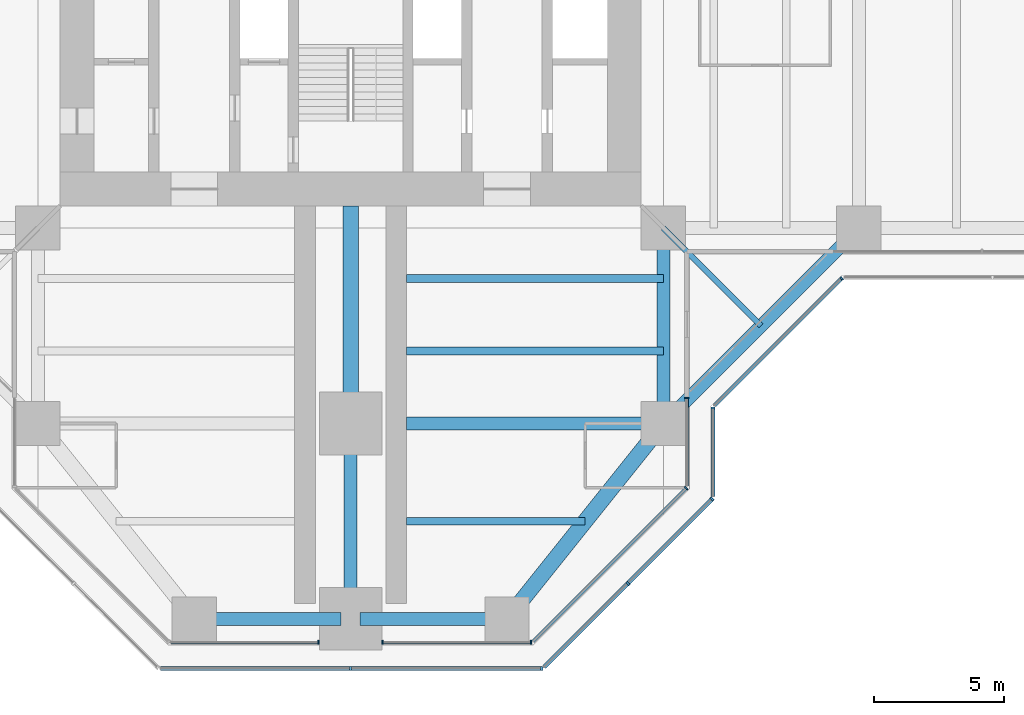
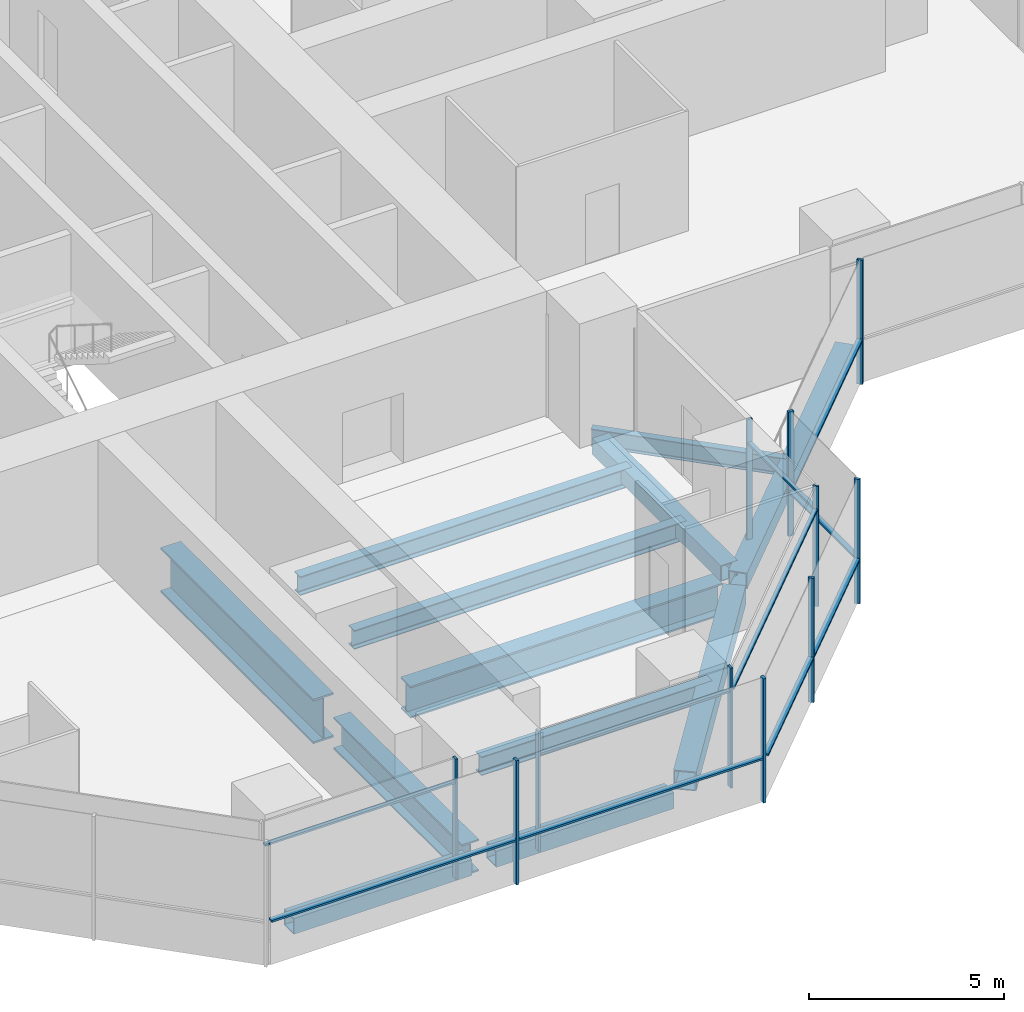
# One storey, part 4 of 19: 21 members, 12 beams, 8 elements without a shape of their own.
"""IFC4 building model written with IfcOpenShell, lengths in metres."""

from ifc_helpers import new_model, si_unit, direction, frame, origin, origin_2d, place, context, subcontext, project, spatial, rectangle, hollow_rectangle, i_section, extrude, material, material_profile, profile_set, type_object, element, aggregate, save


model = new_model("IFC4")

# Units and contexts
model_context = context("Model", 3, precision=1e-05, world=origin(), true_north=direction((0.0, 1.0)))
body_context = subcontext(model_context, "Body", "Model", "MODEL_VIEW")
ifc_project = project(units=[si_unit("LENGTHUNIT", "METRE"), si_unit("AREAUNIT", "SQUARE_METRE"), si_unit("VOLUMEUNIT", "CUBIC_METRE"), si_unit("PLANEANGLEUNIT", "RADIAN"), si_unit("MASSUNIT", "GRAM", prefix="KILO")], contexts=[model_context])

# Site, building, storey
site_placement = place(None, origin())
site = spatial("IfcSite", under=ifc_project, at=site_placement, CompositionType="ELEMENT")
building_placement = place(site_placement, origin())
building = spatial("IfcBuilding", under=site, at=building_placement, Name="Mizan Broadcast Tower", CompositionType="ELEMENT")
storey_placement = place(building_placement, frame((0.0, 0.0, 167.10009765625)))
storey = spatial("IfcBuildingStorey", under=building, at=storey_placement, Name="L38", CompositionType="ELEMENT", Elevation=167.10009765625)

# Beams
ifc_material_1 = material(Name="Steel S355", Category="steel")
ifc_material_profile_1 = material_profile(ifc_material_1, hollow_rectangle(XDim=0.5, YDim=0.5, WallThickness=0.030029296875, at=origin_2d()), Name="BOX 500x500x30")
ifc_profile_set_1 = profile_set([ifc_material_profile_1], Name="Steel S355")
beam_type_1 = type_object("IfcBeamType", Name="EDGE BEAM BOX 500x500x30", PredefinedType="SPANDREL", material=ifc_profile_set_1)
beam_1_placement = place(storey_placement, frame((-5.639892578125, -27.0, -0.380126953125), z_axis=(1.0, 0.0, 0.0), x_axis=(0.0, 1.0, 0.0)))
element("IfcBeam", 1, at=beam_1_placement, inside=storey, type_object=beam_type_1, Name="Edge beam BOX 500x500x30 L38 south arm", PredefinedType="SPANDREL", context=body_context, shape_type="SweptSolid", body=[
    extrude(hollow_rectangle(XDim=0.5, YDim=0.5, WallThickness=0.030029296875, at=origin_2d()), origin(), (0.0, 0.0, 1.0), 5.27978515625),
])
beam_2_placement = place(storey_placement, frame((12.0, -12.449951171875, -0.380126953125), z_axis=(0.0, -1.0, 0.0), x_axis=(1.0, 0.0, 0.0)))
element("IfcBeam", 2, at=beam_2_placement, inside=storey, type_object=beam_type_1, Name="Edge beam BOX 500x500x30 L38 south arm", PredefinedType="SPANDREL", context=body_context, shape_type="SweptSolid", body=[
    extrude(hollow_rectangle(XDim=0.5, YDim=0.5, WallThickness=0.030029296875, at=origin_2d()), origin(), (0.0, 0.0, 1.0), 6.60009765625),
])
beam_3_placement = place(storey_placement, frame((5.639892578125, -27.0, -0.380126953125), z_axis=(-1.0, 0.0, 0.0), x_axis=(0.0, -1.0, 0.0)))
element("IfcBeam", 3, at=beam_3_placement, inside=storey, type_object=beam_type_1, Name="Edge beam BOX 500x500x30 L38 south arm", PredefinedType="SPANDREL", context=body_context, shape_type="SweptSolid", body=[
    extrude(hollow_rectangle(XDim=0.5, YDim=0.5, WallThickness=0.030029296875, at=origin_2d()), origin(), (0.0, 0.0, 1.0), 5.27978515625),
])
beam_4_placement = place(storey_placement, frame((12.0, -19.5, -0.380126953125), z_axis=(0.707106781187, 0.707106781187, 0.0), x_axis=(-0.707106781187, 0.707106781187, 0.0)))
element("IfcBeam", 4, at=beam_4_placement, inside=storey, type_object=beam_type_1, Name="Winter garden edge beam L38 S", PredefinedType="SPANDREL", context=body_context, shape_type="SweptSolid", body=[
    extrude(hollow_rectangle(XDim=0.5, YDim=0.5, WallThickness=0.030029296875, at=origin_2d()), origin(), (0.0, 0.0, 1.0), 10.606689453125),
])
ifc_material_2 = material(Name="Steel S355", Category="steel")
ifc_material_profile_2 = material_profile(ifc_material_2, hollow_rectangle(XDim=0.60009765625, YDim=0.60009765625, WallThickness=0.030029296875, at=origin_2d()), Name="BOX 600x600x30")
ifc_profile_set_2 = profile_set([ifc_material_profile_2], Name="Steel S355")
beam_type_2 = type_object("IfcBeamType", Name="EDGE BEAM BOX 600x600x30", PredefinedType="SPANDREL", material=ifc_profile_set_2)
beam_5_placement = place(storey_placement, frame((11.639892578125, -19.949951171875, -0.43017578125), z_axis=(-0.624673911726, -0.780885717636, 0.0), x_axis=(0.780885717636, -0.624673911726, 0.0)))
element("IfcBeam", 5, at=beam_5_placement, inside=storey, type_object=beam_type_2, Name="Edge beam BOX 600x600x30 L38 south arm", PredefinedType="SPANDREL", context=body_context, shape_type="SweptSolid", body=[
    extrude(hollow_rectangle(XDim=0.60009765625, YDim=0.60009765625, WallThickness=0.030029296875, at=origin_2d()), origin(), (0.0, 0.0, 1.0), 8.4521484375),
])
ifc_material_3 = material(Name="Steel S460", Category="steel")
ifc_material_profile_3 = material_profile(ifc_material_3, i_section(OverallWidth=0.5, OverallDepth=1.0, WebThickness=0.02490234375, FlangeThickness=0.050048828125, at=origin_2d()), Name="WPG 1000x500")
ifc_profile_set_3 = profile_set([ifc_material_profile_3], Name="Steel S460")
beam_type_3 = type_object("IfcBeamType", Name="GIRDER WPG 1000x500", PredefinedType="BEAM", material=ifc_profile_set_3)
beam_6_placement = place(storey_placement, frame((0.0, -19.949951171875, -0.630126953125), z_axis=(0.0, -1.0, 0.0), x_axis=(1.0, 0.0, 0.0)))
element("IfcBeam", 6, at=beam_6_placement, inside=storey, type_object=beam_type_3, Name="Girder WPG 1000x500 L38 south arm", PredefinedType="BEAM", context=body_context, shape_type="SweptSolid", body=[
    extrude(i_section(OverallWidth=0.5, OverallDepth=1.0, WebThickness=0.02490234375, FlangeThickness=0.050048828125, at=origin_2d()), origin(), (0.0, 0.0, 1.0), 6.60009765625),
])
beam_7_placement = place(storey_placement, frame((11.408935546875, -19.5, -0.630126953125), z_axis=(-1.0, 0.0, 0.0), x_axis=(0.0, -1.0, 0.0)))
element("IfcBeam", 7, at=beam_7_placement, inside=storey, type_object=beam_type_3, Name="Girder WPG 1000x500 L38 south arm", PredefinedType="BEAM", context=body_context, shape_type="SweptSolid", body=[
    extrude(i_section(OverallWidth=0.5, OverallDepth=1.0, WebThickness=0.02490234375, FlangeThickness=0.050048828125, at=origin_2d()), origin(), (0.0, 0.0, 1.0), 9.259033203125),
])
ifc_material_4 = material(Name="Steel S460", Category="steel")
ifc_material_profile_4 = material_profile(ifc_material_4, i_section(OverallWidth=0.60009765625, OverallDepth=1.39990234375, WebThickness=0.02490234375, FlangeThickness=0.06005859375, at=origin_2d()), Name="WPG 1400x600")
ifc_profile_set_4 = profile_set([ifc_material_profile_4], Name="Steel S460")
beam_type_4 = type_object("IfcBeamType", Name="GIRDER WPG 1400x600", PredefinedType="BEAM", material=ifc_profile_set_4)
beam_8_placement = place(storey_placement, frame((0.0, -11.14990234375, -0.830078125), z_axis=(0.0, -1.0, 0.0), x_axis=(1.0, 0.0, 0.0)))
element("IfcBeam", 8, at=beam_8_placement, inside=storey, type_object=beam_type_4, Name="Girder WPG 1400x600 L38 south arm", PredefinedType="BEAM", context=body_context, shape_type="SweptSolid", body=[
    extrude(i_section(OverallWidth=0.60009765625, OverallDepth=1.39990234375, WebThickness=0.02490234375, FlangeThickness=0.06005859375, at=origin_2d()), origin(), (0.0, 0.0, 1.0), 7.84912109375),
])

# Curtain wall, member
ifc_material_5 = material(Name="Aluminium framed glazing", Category="aluminium")
curtain_wall_type_1 = type_object("IfcCurtainWallType", Name="INNER SKIN MID ZONE", PredefinedType="USERDEFINED", material=ifc_material_5)
curtain_wall_1_placement = place(storey_placement, origin())
curtain_wall_1 = element("IfcCurtainWall", 9, at=curtain_wall_1_placement, inside=storey, type_object=curtain_wall_type_1, Name="Inner skin mid zone L38 S end", ObjectType="INNER SKIN MID ZONE", PredefinedType="USERDEFINED")
ifc_material_6 = material(Name="Aluminium, pale anodised", Category="aluminium")
ifc_material_profile_5 = material_profile(ifc_material_6, rectangle(XDim=0.159912109375, YDim=0.06005859375, at=origin_2d()), Name="MULLION 160x60")
ifc_profile_set_5 = profile_set([ifc_material_profile_5], Name="Aluminium, pale anodised")
member_type_1 = type_object("IfcMemberType", Name="INNER SKIN MULLION 60x160", PredefinedType="MULLION", material=ifc_profile_set_5)
member_1_placement = place(storey_placement, frame((-1.22998046875, -27.89990234375, 0.0), z_axis=(0.0, 0.0, 1.0), x_axis=(0.0, 1.0, 0.0)))
member_1 = element("IfcMember", 10, at=member_1_placement, type_object=member_type_1, Name="Inner skin mid zone L38 S end mullion 2", PredefinedType="MULLION", context=body_context, shape_type="SweptSolid", body=[
    extrude(rectangle(XDim=0.159912109375, YDim=0.06005859375, at=origin_2d()), origin(), (0.0, 0.0, 1.0), 3.77001953125),
])

# Curtain wall, members
curtain_wall_2_placement = place(storey_placement, origin())
curtain_wall_2 = element("IfcCurtainWall", 11, at=curtain_wall_2_placement, inside=storey, type_object=curtain_wall_type_1, Name="Inner skin mid zone L38 S end", ObjectType="INNER SKIN MID ZONE", PredefinedType="USERDEFINED")
member_2_placement = place(storey_placement, frame((1.22998046875, -27.89990234375, 0.0), z_axis=(0.0, 0.0, 1.0), x_axis=(0.0, 1.0, 0.0)))
member_2 = element("IfcMember", 12, at=member_2_placement, type_object=member_type_1, Name="Inner skin mid zone L38 S end mullion 1", PredefinedType="MULLION", context=body_context, shape_type="SweptSolid", body=[
    extrude(rectangle(XDim=0.159912109375, YDim=0.06005859375, at=origin_2d()), origin(), (0.0, 0.0, 1.0), 3.77001953125),
])
member_3_placement = place(storey_placement, frame((6.928466796875, -27.89990234375, 0.0), z_axis=(0.0, 0.0, 1.0), x_axis=(0.0, 1.0, 0.0)))
member_3 = element("IfcMember", 13, at=member_3_placement, type_object=member_type_1, Name="Inner skin mid zone L38 S end mullion 2", PredefinedType="MULLION", context=body_context, shape_type="SweptSolid", body=[
    extrude(rectangle(XDim=0.159912109375, YDim=0.06005859375, at=origin_2d()), origin(), (0.0, 0.0, 1.0), 3.77001953125),
])

# Curtain wall, member
curtain_wall_3_placement = place(storey_placement, origin())
curtain_wall_3 = element("IfcCurtainWall", 14, at=curtain_wall_3_placement, inside=storey, type_object=curtain_wall_type_1, Name="Inner skin mid zone L38 S chamfer", ObjectType="INNER SKIN MID ZONE", PredefinedType="USERDEFINED")
member_4_placement = place(storey_placement, frame((12.87890625, -21.979736328125, 0.0), z_axis=(0.0, 0.0, 1.0), x_axis=(-0.707106781187, 0.707106781187, 0.0)))
member_4 = element("IfcMember", 15, at=member_4_placement, type_object=member_type_1, Name="Inner skin mid zone L38 S chamfer mullion 2", PredefinedType="MULLION", context=body_context, shape_type="SweptSolid", body=[
    extrude(rectangle(XDim=0.159912109375, YDim=0.06005859375, at=origin_2d()), origin(), (0.0, 0.0, 1.0), 3.77001953125),
])

curtain_wall_4_placement = place(storey_placement, origin())
curtain_wall_4 = element("IfcCurtainWall", 16, at=curtain_wall_4_placement, inside=storey, type_object=curtain_wall_type_1, Name="Inner skin mid zone L38 S side", ObjectType="INNER SKIN MID ZONE", PredefinedType="USERDEFINED")
member_5_placement = place(storey_placement, frame((12.89990234375, -18.530029296875, 0.0), z_axis=(0.0, 0.0, 1.0), x_axis=(-1.0, 0.0, 0.0)))
member_5 = element("IfcMember", 17, at=member_5_placement, type_object=member_type_1, Name="Inner skin mid zone L38 S side mullion 2", PredefinedType="MULLION", context=body_context, shape_type="SweptSolid", body=[
    extrude(rectangle(XDim=0.159912109375, YDim=0.06005859375, at=origin_2d()), origin(), (0.0, 0.0, 1.0), 3.77001953125),
])

# Member
ifc_material_7 = material(Name="Aluminium, pale anodised", Category="aluminium")
ifc_material_profile_6 = material_profile(ifc_material_7, rectangle(XDim=0.1201171875, YDim=0.06005859375, at=origin_2d()), Name="TRANSOM 120x60")
ifc_profile_set_6 = profile_set([ifc_material_profile_6], Name="Aluminium, pale anodised")
member_type_2 = type_object("IfcMemberType", Name="INNER SKIN TRANSOM 60x120", PredefinedType="USERDEFINED", material=ifc_profile_set_6)
member_6_placement = place(storey_placement, frame((-6.898681640625, -27.89990234375, 3.02978515625), z_axis=(1.0, 0.0, 0.0), x_axis=(0.0, 1.0, 0.0)))
member_6 = element("IfcMember", 18, at=member_6_placement, type_object=member_type_2, Name="Inner skin mid zone L38 S end transom 1.1", ObjectType="TRANSOM", PredefinedType="USERDEFINED", context=body_context, shape_type="SweptSolid", body=[
    extrude(rectangle(XDim=0.1201171875, YDim=0.06005859375, at=origin_2d()), origin(), (0.0, 0.0, 1.0), 5.638671875),
])

aggregate(curtain_wall_1, [member_1, member_6])

member_7_placement = place(storey_placement, frame((1.260009765625, -27.89990234375, 3.02978515625), z_axis=(1.0, 0.0, 0.0), x_axis=(0.0, 1.0, 0.0)))
member_7 = element("IfcMember", 19, at=member_7_placement, type_object=member_type_2, Name="Inner skin mid zone L38 S end transom 1.1", ObjectType="TRANSOM", PredefinedType="USERDEFINED", context=body_context, shape_type="SweptSolid", body=[
    extrude(rectangle(XDim=0.1201171875, YDim=0.06005859375, at=origin_2d()), origin(), (0.0, 0.0, 1.0), 5.638671875),
])

aggregate(curtain_wall_2, [member_2, member_3, member_7])

member_8_placement = place(storey_placement, frame((7.0009765625, -27.857666015625, 3.02978515625), z_axis=(0.707106781187, 0.707106781187, 0.0), x_axis=(-0.707106781187, 0.707106781187, 0.0)))
member_8 = element("IfcMember", 20, at=member_8_placement, type_object=member_type_2, Name="Inner skin mid zone L38 S chamfer transom 1.1", ObjectType="TRANSOM", PredefinedType="USERDEFINED", context=body_context, shape_type="SweptSolid", body=[
    extrude(rectangle(XDim=0.1201171875, YDim=0.06005859375, at=origin_2d()), origin(), (0.0, 0.0, 1.0), 8.28271484375),
])

aggregate(curtain_wall_3, [member_4, member_8])

member_9_placement = place(storey_placement, frame((12.89990234375, -21.898681640625, 3.02978515625), z_axis=(0.0, 1.0, 0.0), x_axis=(-1.0, 0.0, 0.0)))
member_9 = element("IfcMember", 21, at=member_9_placement, type_object=member_type_2, Name="Inner skin mid zone L38 S side transom 1.1", ObjectType="TRANSOM", PredefinedType="USERDEFINED", context=body_context, shape_type="SweptSolid", body=[
    extrude(rectangle(XDim=0.1201171875, YDim=0.06005859375, at=origin_2d()), origin(), (0.0, 0.0, 1.0), 3.338623046875),
])

aggregate(curtain_wall_4, [member_5, member_9])

# Curtain wall, members
ifc_material_8 = material(Name="Aluminium framed glazing", Category="aluminium")
curtain_wall_type_2 = type_object("IfcCurtainWallType", Name="OUTER SKIN", PredefinedType="USERDEFINED", material=ifc_material_8)
curtain_wall_5_placement = place(storey_placement, origin())
curtain_wall_5 = element("IfcCurtainWall", 22, at=curtain_wall_5_placement, inside=storey, type_object=curtain_wall_type_2, Name="Outer skin L38 S end", ObjectType="OUTER SKIN", PredefinedType="USERDEFINED")
ifc_material_9 = material(Name="Aluminium, pale anodised", Category="aluminium")
ifc_material_profile_7 = material_profile(ifc_material_9, rectangle(XDim=0.159912109375, YDim=0.080078125, at=origin_2d()), Name="MULLION 160x80")
ifc_profile_set_7 = profile_set([ifc_material_profile_7], Name="Aluminium, pale anodised")
member_type_3 = type_object("IfcMemberType", Name="OUTER SKIN MULLION 80x160", PredefinedType="MULLION", material=ifc_profile_set_7)
member_10_placement = place(storey_placement, frame((0.0, -28.89990234375, 0.0), z_axis=(0.0, 0.0, 1.0), x_axis=(0.0, 1.0, 0.0)))
member_10 = element("IfcMember", 23, at=member_10_placement, type_object=member_type_3, Name="Outer skin L38 S end mullion 2", PredefinedType="MULLION", context=body_context, shape_type="SweptSolid", body=[
    extrude(rectangle(XDim=0.159912109375, YDim=0.080078125, at=origin_2d()), origin(), (0.0, 0.0, 1.0), 3.89990234375),
])
member_11_placement = place(storey_placement, frame((7.332763671875, -28.89990234375, 0.0), z_axis=(0.0, 0.0, 1.0), x_axis=(0.0, 1.0, 0.0)))
member_11 = element("IfcMember", 24, at=member_11_placement, type_object=member_type_3, Name="Outer skin L38 S end mullion 3", PredefinedType="MULLION", context=body_context, shape_type="SweptSolid", body=[
    extrude(rectangle(XDim=0.159912109375, YDim=0.080078125, at=origin_2d()), origin(), (0.0, 0.0, 1.0), 3.89990234375),
])

curtain_wall_6_placement = place(storey_placement, origin())
curtain_wall_6 = element("IfcCurtainWall", 25, at=curtain_wall_6_placement, inside=storey, type_object=curtain_wall_type_2, Name="Outer skin L38 S chamfer", ObjectType="OUTER SKIN", PredefinedType="USERDEFINED")
member_12_placement = place(storey_placement, frame((10.636474609375, -25.636474609375, 0.0), z_axis=(0.0, 0.0, 1.0), x_axis=(-0.707106781187, 0.707106781187, 0.0)))
member_12 = element("IfcMember", 26, at=member_12_placement, type_object=member_type_3, Name="Outer skin L38 S chamfer mullion 2", PredefinedType="MULLION", context=body_context, shape_type="SweptSolid", body=[
    extrude(rectangle(XDim=0.159912109375, YDim=0.080078125, at=origin_2d()), origin(), (0.0, 0.0, 1.0), 3.89990234375),
])
member_13_placement = place(storey_placement, frame((13.871826171875, -22.401123046875, 0.0), z_axis=(0.0, 0.0, 1.0), x_axis=(-0.707106781187, 0.707106781187, 0.0)))
member_13 = element("IfcMember", 27, at=member_13_placement, type_object=member_type_3, Name="Outer skin L38 S chamfer mullion 3", PredefinedType="MULLION", context=body_context, shape_type="SweptSolid", body=[
    extrude(rectangle(XDim=0.159912109375, YDim=0.080078125, at=origin_2d()), origin(), (0.0, 0.0, 1.0), 3.89990234375),
])

# Curtain wall, member
curtain_wall_7_placement = place(storey_placement, origin())
curtain_wall_7 = element("IfcCurtainWall", 28, at=curtain_wall_7_placement, inside=storey, type_object=curtain_wall_type_2, Name="Outer skin L38 S side", ObjectType="OUTER SKIN", PredefinedType="USERDEFINED")
member_14_placement = place(storey_placement, frame((13.89990234375, -18.912841796875, 0.0), z_axis=(0.0, 0.0, 1.0), x_axis=(-1.0, 0.0, 0.0)))
member_14 = element("IfcMember", 29, at=member_14_placement, type_object=member_type_3, Name="Outer skin L38 S side mullion 2", PredefinedType="MULLION", context=body_context, shape_type="SweptSolid", body=[
    extrude(rectangle(XDim=0.159912109375, YDim=0.080078125, at=origin_2d()), origin(), (0.0, 0.0, 1.0), 3.89990234375),
])

curtain_wall_8_placement = place(storey_placement, origin())
curtain_wall_8 = element("IfcCurtainWall", 30, at=curtain_wall_8_placement, inside=storey, type_object=curtain_wall_type_2, Name="Outer skin L38 E chamfer", ObjectType="OUTER SKIN", PredefinedType="USERDEFINED")
member_15_placement = place(storey_placement, frame((18.844482421875, -13.92822265625, 0.0), z_axis=(0.0, 0.0, 1.0), x_axis=(-0.707106781187, 0.707106781187, 0.0)))
member_15 = element("IfcMember", 31, at=member_15_placement, type_object=member_type_3, Name="Outer skin L38 E chamfer mullion 2", PredefinedType="MULLION", context=body_context, shape_type="SweptSolid", body=[
    extrude(rectangle(XDim=0.159912109375, YDim=0.080078125, at=origin_2d()), origin(), (0.0, 0.0, 1.0), 3.89990234375),
])

# Member
ifc_material_10 = material(Name="Aluminium, pale anodised", Category="aluminium")
ifc_material_profile_8 = material_profile(ifc_material_10, rectangle(XDim=0.159912109375, YDim=0.06005859375, at=origin_2d()), Name="TRANSOM 160x60")
ifc_profile_set_8 = profile_set([ifc_material_profile_8], Name="Aluminium, pale anodised")
member_type_4 = type_object("IfcMemberType", Name="OUTER SKIN TRANSOM 60x160", PredefinedType="USERDEFINED", material=ifc_profile_set_8)
member_16_placement = place(storey_placement, frame((-7.292724609375, -28.89990234375, 1.39990234375), z_axis=(1.0, 0.0, 0.0), x_axis=(0.0, 1.0, 0.0)))
member_16 = element("IfcMember", 32, at=member_16_placement, type_object=member_type_4, Name="Outer skin L38 S end transom 1.1", ObjectType="TRANSOM", PredefinedType="USERDEFINED", context=body_context, shape_type="SweptSolid", body=[
    extrude(rectangle(XDim=0.159912109375, YDim=0.06005859375, at=origin_2d()), origin(), (0.0, 0.0, 1.0), 7.252685546875),
])

member_17_placement = place(storey_placement, frame((0.0400390625, -28.89990234375, 1.39990234375), z_axis=(1.0, 0.0, 0.0), x_axis=(0.0, 1.0, 0.0)))
member_17 = element("IfcMember", 33, at=member_17_placement, type_object=member_type_4, Name="Outer skin L38 S end transom 2.1", ObjectType="TRANSOM", PredefinedType="USERDEFINED", context=body_context, shape_type="SweptSolid", body=[
    extrude(rectangle(XDim=0.159912109375, YDim=0.06005859375, at=origin_2d()), origin(), (0.0, 0.0, 1.0), 7.252685546875),
])

aggregate(curtain_wall_5, [member_10, member_11, member_16, member_17])

member_18_placement = place(storey_placement, frame((7.429443359375, -28.843505859375, 1.39990234375), z_axis=(0.707106781187, 0.707106781187, 0.0), x_axis=(-0.707106781187, 0.707106781187, 0.0)))
member_18 = element("IfcMember", 34, at=member_18_placement, type_object=member_type_4, Name="Outer skin L38 S chamfer transom 1.1", ObjectType="TRANSOM", PredefinedType="USERDEFINED", context=body_context, shape_type="SweptSolid", body=[
    extrude(rectangle(XDim=0.159912109375, YDim=0.06005859375, at=origin_2d()), origin(), (0.0, 0.0, 1.0), 4.495361328125),
])

member_19_placement = place(storey_placement, frame((10.664794921875, -25.608154296875, 1.39990234375), z_axis=(0.707106781187, 0.707106781187, 0.0), x_axis=(-0.707106781187, 0.707106781187, 0.0)))
member_19 = element("IfcMember", 35, at=member_19_placement, type_object=member_type_4, Name="Outer skin L38 S chamfer transom 2.1", ObjectType="TRANSOM", PredefinedType="USERDEFINED", context=body_context, shape_type="SweptSolid", body=[
    extrude(rectangle(XDim=0.159912109375, YDim=0.06005859375, at=origin_2d()), origin(), (0.0, 0.0, 1.0), 4.495361328125),
])

aggregate(curtain_wall_6, [member_12, member_13, member_18, member_19])

member_20_placement = place(storey_placement, frame((13.89990234375, -22.292724609375, 1.39990234375), z_axis=(0.0, 1.0, 0.0), x_axis=(-1.0, 0.0, 0.0)))
member_20 = element("IfcMember", 36, at=member_20_placement, type_object=member_type_4, Name="Outer skin L38 S side transom 1.1", ObjectType="TRANSOM", PredefinedType="USERDEFINED", context=body_context, shape_type="SweptSolid", body=[
    extrude(rectangle(XDim=0.159912109375, YDim=0.06005859375, at=origin_2d()), origin(), (0.0, 0.0, 1.0), 3.33984375),
])

aggregate(curtain_wall_7, [member_14, member_20])

member_21_placement = place(storey_placement, frame((13.95654296875, -18.816162109375, 1.39990234375), z_axis=(0.707106781187, 0.707106781187, 0.0), x_axis=(-0.707106781187, 0.707106781187, 0.0)))
member_21 = element("IfcMember", 37, at=member_21_placement, type_object=member_type_4, Name="Outer skin L38 E chamfer transom 1.1", ObjectType="TRANSOM", PredefinedType="USERDEFINED", context=body_context, shape_type="SweptSolid", body=[
    extrude(rectangle(XDim=0.159912109375, YDim=0.06005859375, at=origin_2d()), origin(), (0.0, 0.0, 1.0), 6.87255859375),
])

aggregate(curtain_wall_8, [member_15, member_21])

# Beams
ifc_material_11 = material(Name="Steel S355", Category="steel")
ifc_material_profile_9 = material_profile(ifc_material_11, i_section(OverallWidth=0.300048828125, OverallDepth=0.590087890625, WebThickness=0.012939453125, FlangeThickness=0.02490234375, FilletRadius=0.027099609375, at=origin_2d()), Name="HEA 600")
ifc_profile_set_9 = profile_set([ifc_material_profile_9], Name="Steel S355")
beam_type_5 = type_object("IfcBeamType", Name="SECONDARY BEAM HEA 600", PredefinedType="JOIST", material=ifc_profile_set_9)
for number, where, z_axis, x_axis, name in (
    (38, (12.0, -13.933349609375, -0.425048828125), (-1.0, 0.0, 0.0), (0.0, -1.0, 0.0), "Secondary beam HEA 600 L38 south arm"),
    (39, (12.0, -16.716552734375, -0.425048828125), (-1.0, 0.0, 0.0), (0.0, -1.0, 0.0), "Secondary beam HEA 600 L38 south arm"),
):
    element("IfcBeam", number, at=place(storey_placement, frame(where, z_axis=z_axis, x_axis=x_axis)), inside=storey, type_object=beam_type_5, Name=name, PredefinedType="JOIST", context=body_context, shape_type="SweptSolid", body=[
        extrude(i_section(OverallWidth=0.300048828125, OverallDepth=0.590087890625, WebThickness=0.012939453125, FlangeThickness=0.02490234375, FilletRadius=0.027099609375, at=origin_2d()), origin(), (0.0, 0.0, 1.0), 9.85009765625),
    ])
beam_9_placement = place(storey_placement, frame((9.0, -23.25, -0.425048828125), z_axis=(-1.0, 0.0, 0.0), x_axis=(0.0, -1.0, 0.0)))
element("IfcBeam", 40, at=beam_9_placement, inside=storey, type_object=beam_type_5, Name="Secondary beam HEA 600 L38 south arm", PredefinedType="JOIST", context=body_context, shape_type="SweptSolid", body=[
    extrude(i_section(OverallWidth=0.300048828125, OverallDepth=0.590087890625, WebThickness=0.012939453125, FlangeThickness=0.02490234375, FilletRadius=0.027099609375, at=origin_2d()), origin(), (0.0, 0.0, 1.0), 6.85009765625),
])
ifc_material_12 = material(Name="Steel S355", Category="steel")
ifc_material_profile_10 = material_profile(ifc_material_12, i_section(OverallWidth=0.2099609375, OverallDepth=0.550048828125, WebThickness=0.010986328125, FlangeThickness=0.01708984375, FilletRadius=0.02392578125, at=origin_2d()), Name="IPE 550")
ifc_profile_set_10 = profile_set([ifc_material_profile_10], Name="Steel S355")
beam_type_6 = type_object("IfcBeamType", Name="SECONDARY BEAM IPE 550", PredefinedType="JOIST", material=ifc_profile_set_10)
beam_10_placement = place(storey_placement, frame((12.0, -12.0, -0.405029296875), z_axis=(0.707106781187, -0.707106781187, 0.0), x_axis=(0.707106781187, 0.707106781187, 0.0)))
element("IfcBeam", 41, at=beam_10_placement, inside=storey, type_object=beam_type_6, Name="Winter garden beam L38 S", PredefinedType="JOIST", context=body_context, shape_type="SweptSolid", body=[
    extrude(i_section(OverallWidth=0.2099609375, OverallDepth=0.550048828125, WebThickness=0.010986328125, FlangeThickness=0.01708984375, FilletRadius=0.02392578125, at=origin_2d()), origin(), (0.0, 0.0, 1.0), 5.30322265625),
])

save(model, "model.ifc")
